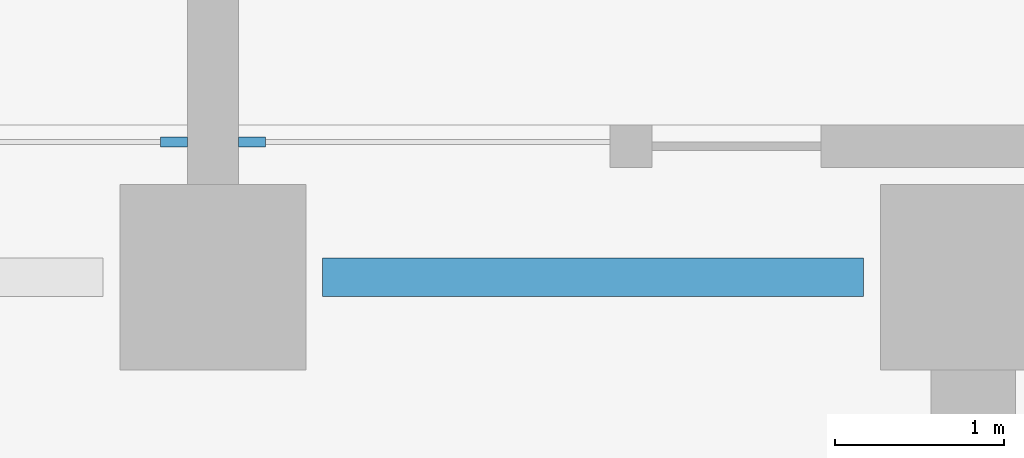
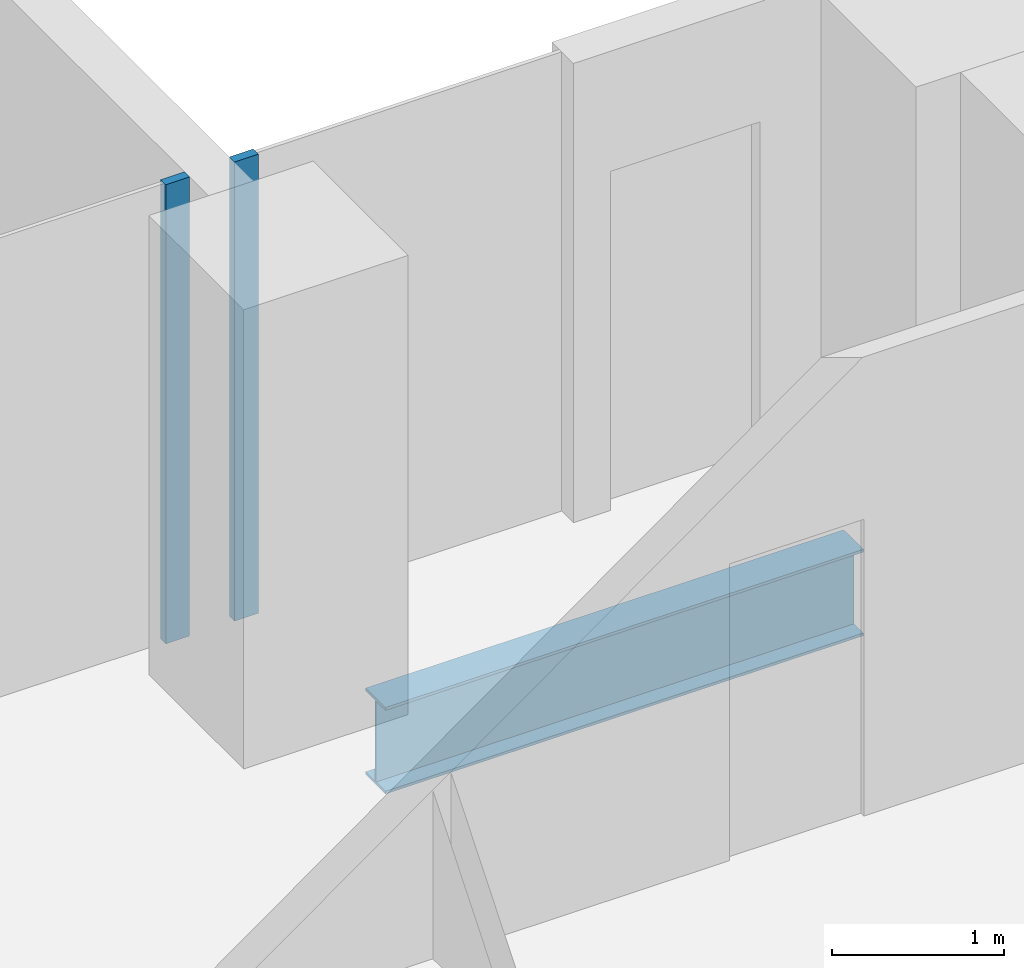
# One storey, part 7 of 20: 2 members, 1 beam, 2 elements without a shape of their own.
"""IFC4 building model written with IfcOpenShell, lengths in metres."""

import ifcopenshell
import ifcopenshell.guid

model = None  # the IFC model being written
_history = None  # IfcOwnerHistory: only IFC2X3 demands one
_inside = {}  # id of a spatial element -> (the spatial element, [elements in it])
_under = {}  # id of a project, library or spatial element -> (it, [spatial elements below it])
_declared = {}  # id of a project -> (the project, [libraries it declares])
_typed = {}  # id of a type object -> (the type object, [elements of that type])
_made_of = {}  # id of a material, layer set ... -> (it, [elements and type objects made of it])


def new_model(schema):
    """Start an empty IFC model of exactly this schema.

    Asked for "IFC4X3", IfcOpenShell would pick the latest addendum, in which some entities
    have other attributes; the version numbers below select the first issue.
    IFC2X3 requires an IfcOwnerHistory on every rooted entity: one is made here for all.
    """
    global model, _history
    if schema == "IFC4X3":
        model = ifcopenshell.file(schema_version=(4, 3, 0, 0))
    else:
        model = ifcopenshell.file(schema=schema)
    _inside.clear()
    _under.clear()
    _declared.clear()
    _typed.clear()
    _made_of.clear()
    _history = None
    if model.schema == "IFC2X3":
        org = make("IfcOrganization", Name="unknown")
        user = make(
            "IfcPersonAndOrganization",
            ThePerson=make("IfcPerson", FamilyName="unknown"),
            TheOrganization=org,
        )
        app = make(
            "IfcApplication",
            ApplicationDeveloper=org,
            Version="unknown",
            ApplicationFullName="unknown",
            ApplicationIdentifier="unknown",
        )
        _history = make(
            "IfcOwnerHistory",
            OwningUser=user,
            OwningApplication=app,
            ChangeAction="ADDED",
            CreationDate=0,
        )
    return model


def make(cls, **values):
    """One entity of the class cls with the attributes given. An attribute that is None is left unset."""
    return model.create_entity(
        cls, **{name: value for name, value in values.items() if value is not None}
    )


def rooted(cls, **values):
    """An entity with a GlobalId (a new one), such as an element, a storey or a relation."""
    return make(cls, GlobalId=ifcopenshell.guid.new(), OwnerHistory=_history, **values)


def si_unit(unit_type, name, prefix=None):
    """IfcSIUnit, for example si_unit("LENGTHUNIT", "METRE", prefix="MILLI")."""
    return make("IfcSIUnit", UnitType=unit_type, Prefix=prefix, Name=name)


def assignment(units):
    """IfcUnitAssignment: the units of a project."""
    return None if units is None else make("IfcUnitAssignment", Units=units)


def point(xyz):
    """IfcCartesianPoint."""
    return None if xyz is None else make("IfcCartesianPoint", Coordinates=xyz)


def direction(xyz):
    """IfcDirection."""
    return None if xyz is None else make("IfcDirection", DirectionRatios=xyz)


def frame(location, z_axis=None, x_axis=None):
    """IfcAxis2Placement3D, a coordinate frame: its origin and axes. An axis left out is left unset."""
    return make(
        "IfcAxis2Placement3D",
        Location=point(location),
        Axis=direction(z_axis),
        RefDirection=direction(x_axis),
    )


def frame_2d(location, x_axis=None):
    """IfcAxis2Placement2D, a coordinate frame in the plane: its origin and x axis."""
    return make(
        "IfcAxis2Placement2D", Location=point(location), RefDirection=direction(x_axis)
    )


def origin():
    """The frame at (0, 0, 0) with its axes left unset."""
    return frame((0.0, 0.0, 0.0))


def origin_2d():
    """The frame at (0, 0) in the plane with its x axis left unset."""
    return frame_2d((0.0, 0.0))


def place(relative_to, where):
    """IfcLocalPlacement: puts the frame where relative to a parent placement (None: the world)."""
    return make(
        "IfcLocalPlacement", PlacementRelTo=relative_to, RelativePlacement=where
    )


def context(
    kind, dimensions, precision=None, world=None, true_north=None, identifier=None
):
    """IfcGeometricRepresentationContext, for example the 3D "Model" context."""
    return make(
        "IfcGeometricRepresentationContext",
        ContextIdentifier=identifier,
        ContextType=kind,
        CoordinateSpaceDimension=dimensions,
        Precision=precision,
        WorldCoordinateSystem=world,
        TrueNorth=true_north,
    )


def subcontext(parent, identifier, kind, view, scale=None):
    """IfcGeometricRepresentationSubContext, for example "Body" below "Model"."""
    return make(
        "IfcGeometricRepresentationSubContext",
        ContextIdentifier=identifier,
        ContextType=kind,
        ParentContext=parent,
        TargetScale=scale,
        TargetView=view,
    )


def project(units=None, contexts=None):
    """IfcProject with its units and contexts."""
    return rooted(
        "IfcProject",
        Name="project",
        RepresentationContexts=contexts,
        UnitsInContext=assignment(units),
    )


def spatial(cls, under=None, at=None, **own):
    """A site, building, storey or space (cls), placed at a placement, below another one or the project."""
    s = rooted(cls, ObjectPlacement=at, **own)
    if under is not None:
        _under.setdefault(under.id(), (under, []))[1].append(s)
    return s


def profile(cls, at=None, kind="AREA", **sizes):
    """A parametric profile (cls). Its sizes go by their IFC names, for example OverallWidth=200.0."""
    return make(cls, ProfileType=kind, Position=at, **sizes)


def rectangle(**sizes):
    """IfcRectangleProfileDef."""
    return profile("IfcRectangleProfileDef", **sizes)


def i_section(**sizes):
    """IfcIShapeProfileDef."""
    return profile("IfcIShapeProfileDef", **sizes)


def extrude(swept, where, along, depth):
    """IfcExtrudedAreaSolid: the profile swept, set in the frame where, extruded along a direction by depth."""
    return make(
        "IfcExtrudedAreaSolid",
        SweptArea=swept,
        Position=where,
        ExtrudedDirection=direction(along),
        Depth=depth,
    )


def shape(context_of_items, identifier, shape_type, items):
    """IfcShapeRepresentation: the items that make up one representation, for example the "Body"."""
    return make(
        "IfcShapeRepresentation",
        ContextOfItems=context_of_items,
        RepresentationIdentifier=identifier,
        RepresentationType=shape_type,
        Items=items,
    )


def material(Name=None, Category=None):
    """IfcMaterial."""
    return make("IfcMaterial", Name=Name, Category=Category)


def material_profile(
    of_material, cross_section, Name=None, Category=None, Priority=None
):
    """IfcMaterialProfile: a cross section and its material."""
    return make(
        "IfcMaterialProfile",
        Name=Name,
        Material=of_material,
        Profile=cross_section,
        Priority=Priority,
        Category=Category,
    )


def profile_set(profiles, Name=None, composite=None):
    """IfcMaterialProfileSet."""
    return make(
        "IfcMaterialProfileSet",
        Name=Name,
        MaterialProfiles=profiles,
        CompositeProfile=composite,
    )


def made_of(thing, what):
    """Note that an element or type object is made of a material, layer set ...; save() writes the relation."""
    if what is not None:
        _made_of.setdefault(what.id(), (what, []))[1].append(thing)
    return thing


def type_object(cls, material=None, **own):
    """A type object (cls), such as IfcWallType, which elements share."""
    return made_of(rooted(cls, **own), material)


def element(
    cls,
    number,
    at=None,
    inside=None,
    cuts=None,
    type_object=None,
    material=None,
    context=None,
    identifier="Body",
    shape_type=None,
    held_by="IfcProductDefinitionShape",
    body=None,
    shapes=None,
    **own,
):
    """One element of the class cls, such as IfcWall. Its Tag is "e" and its number.

    at: its placement. inside: the storey or other place that contains it. cuts: it is an
    opening in that element (IfcRelVoidsElement). A single representation is given by context,
    identifier, shape_type and body (its items); several are given by shapes. held_by: the class
    of the entity that holds the representations. save() writes the other relations.
    """
    e = rooted(cls, Tag="e%d" % number, ObjectPlacement=at, **own)
    if body is not None:
        shapes = [shape(context, identifier, shape_type, body)]
    if shapes is not None:
        e.Representation = make(held_by, Representations=shapes)
    if inside is not None:
        _inside.setdefault(inside.id(), (inside, []))[1].append(e)
    if cuts is not None:
        rooted(
            "IfcRelVoidsElement", RelatingBuildingElement=cuts, RelatedOpeningElement=e
        )
    if type_object is not None:
        _typed.setdefault(type_object.id(), (type_object, []))[1].append(e)
    return made_of(e, material)


def aggregate(whole, parts):
    """IfcRelAggregates: a whole, such as a stair, and the parts it consists of."""
    return rooted("IfcRelAggregates", RelatingObject=whole, RelatedObjects=parts)


def save(model, path):
    """Write the relations noted so far, then the file.

    IfcRelAggregates (storeys below a building ...), IfcRelContainedInSpatialStructure (elements
    in a storey), IfcRelDefinesByType, IfcRelAssociatesMaterial and IfcRelDeclares: one each for
    every whole, place, type object, material and project.
    """
    for whole, parts in _under.values():
        aggregate(whole, parts)
    for where, things in _inside.values():
        rooted(
            "IfcRelContainedInSpatialStructure",
            RelatedElements=things,
            RelatingStructure=where,
        )
    for kind, things in _typed.values():
        rooted("IfcRelDefinesByType", RelatedObjects=things, RelatingType=kind)
    for what, things in _made_of.values():
        rooted("IfcRelAssociatesMaterial", RelatedObjects=things, RelatingMaterial=what)
    for by, libraries in _declared.values():
        rooted("IfcRelDeclares", RelatingContext=by, RelatedDefinitions=libraries)
    model.write(path)


model = new_model("IFC4")

# Units and contexts
model_context = context("Model", 3, precision=1e-05, world=origin(), true_north=direction((0.0, 1.0)))
body_context = subcontext(model_context, "Body", "Model", "MODEL_VIEW")
ifc_project = project(units=[si_unit("LENGTHUNIT", "METRE"), si_unit("AREAUNIT", "SQUARE_METRE"), si_unit("VOLUMEUNIT", "CUBIC_METRE"), si_unit("PLANEANGLEUNIT", "RADIAN"), si_unit("MASSUNIT", "GRAM", prefix="KILO")], contexts=[model_context])

# Site, building, storey
site_placement = place(None, origin())
site = spatial("IfcSite", under=ifc_project, at=site_placement, CompositionType="ELEMENT")
building_placement = place(site_placement, origin())
building = spatial("IfcBuilding", under=site, at=building_placement, Name="Perihelion Cross Residences", CompositionType="ELEMENT")
storey_placement = place(building_placement, frame((0.0, 0.0, 102.39990234375)))
storey = spatial("IfcBuildingStorey", under=building, at=storey_placement, Name="L23", CompositionType="ELEMENT", Elevation=102.39990234375)

# Curtain wall, member
ifc_material_1 = material(Name="Bronze anodised aluminium, tinted glazing", Category="aluminium")
curtain_wall_type = type_object("IfcCurtainWallType", Name="CW1", PredefinedType="NOTDEFINED", material=ifc_material_1)
curtain_wall_1_placement = place(storey_placement, origin())
curtain_wall_1 = element("IfcCurtainWall", 1, at=curtain_wall_1_placement, inside=storey, type_object=curtain_wall_type, Name="Curtain wall CW1 L23 north tip north bay 1", PredefinedType="NOTDEFINED")
ifc_material_2 = material(Name="Bronze anodised aluminium", Category="aluminium")
ifc_material_profile_1 = material_profile(ifc_material_2, rectangle(XDim=0.06005859375, YDim=0.159912109375, at=origin_2d()), Name="CW1 mullion")
ifc_profile_set_1 = profile_set([ifc_material_profile_1], Name="Bronze anodised aluminium")
member_type = type_object("IfcMemberType", Name="CW1 mullion", PredefinedType="MULLION", material=ifc_profile_set_1)
member_1_placement = place(storey_placement, frame((0.22998046875, 26.89990234375, 0.0), z_axis=(0.0, 0.0, 1.0), x_axis=(0.0, -1.0, 0.0)))
member_1 = element("IfcMember", 2, at=member_1_placement, type_object=member_type, Name="CW1 mullion 2", PredefinedType="MULLION", context=body_context, shape_type="SweptSolid", body=[
    extrude(rectangle(XDim=0.06005859375, YDim=0.159912109375, at=origin_2d()), origin(), (0.0, 0.0, 1.0), 3.25),
])
aggregate(curtain_wall_1, [member_1])

curtain_wall_2_placement = place(storey_placement, origin())
curtain_wall_2 = element("IfcCurtainWall", 3, at=curtain_wall_2_placement, inside=storey, type_object=curtain_wall_type, Name="Curtain wall CW1 L23 north tip north bay 2", PredefinedType="NOTDEFINED")
member_2_placement = place(storey_placement, frame((-0.22998046875, 26.89990234375, 0.0), z_axis=(0.0, 0.0, 1.0), x_axis=(0.0, -1.0, 0.0)))
member_2 = element("IfcMember", 4, at=member_2_placement, type_object=member_type, Name="CW1 mullion 1", PredefinedType="MULLION", context=body_context, shape_type="SweptSolid", body=[
    extrude(rectangle(XDim=0.06005859375, YDim=0.159912109375, at=origin_2d()), origin(), (0.0, 0.0, 1.0), 3.25),
])
aggregate(curtain_wall_2, [member_2])

# Beam
ifc_material_3 = material(Name="Steel S355", Category="steel")
ifc_material_profile_2 = material_profile(ifc_material_3, i_section(OverallWidth=0.22900390625, OverallDepth=0.612060546875, WebThickness=0.011962890625, FlangeThickness=0.01953125, at=origin_2d()), Name="W610x125")
ifc_profile_set_2 = profile_set([ifc_material_profile_2], Name="Steel S355")
beam_type = type_object("IfcBeamType", Name="Edge beam W610x125", PredefinedType="SPANDREL", material=ifc_profile_set_2)
beam_placement = place(storey_placement, frame((3.85009765625, 26.10009765625, -0.555908203125), z_axis=(-1.0, 0.0, 0.0), x_axis=(0.0, -1.0, 0.0)))
element("IfcBeam", 5, at=beam_placement, inside=storey, type_object=beam_type, Name="Edge beam SB3 L23 no. 12", PredefinedType="SPANDREL", context=body_context, shape_type="SweptSolid", body=[
    extrude(i_section(OverallWidth=0.22900390625, OverallDepth=0.612060546875, WebThickness=0.011962890625, FlangeThickness=0.01953125, at=origin_2d()), origin(), (0.0, 0.0, 1.0), 3.2001953125),
])

save(model, "model.ifc")
